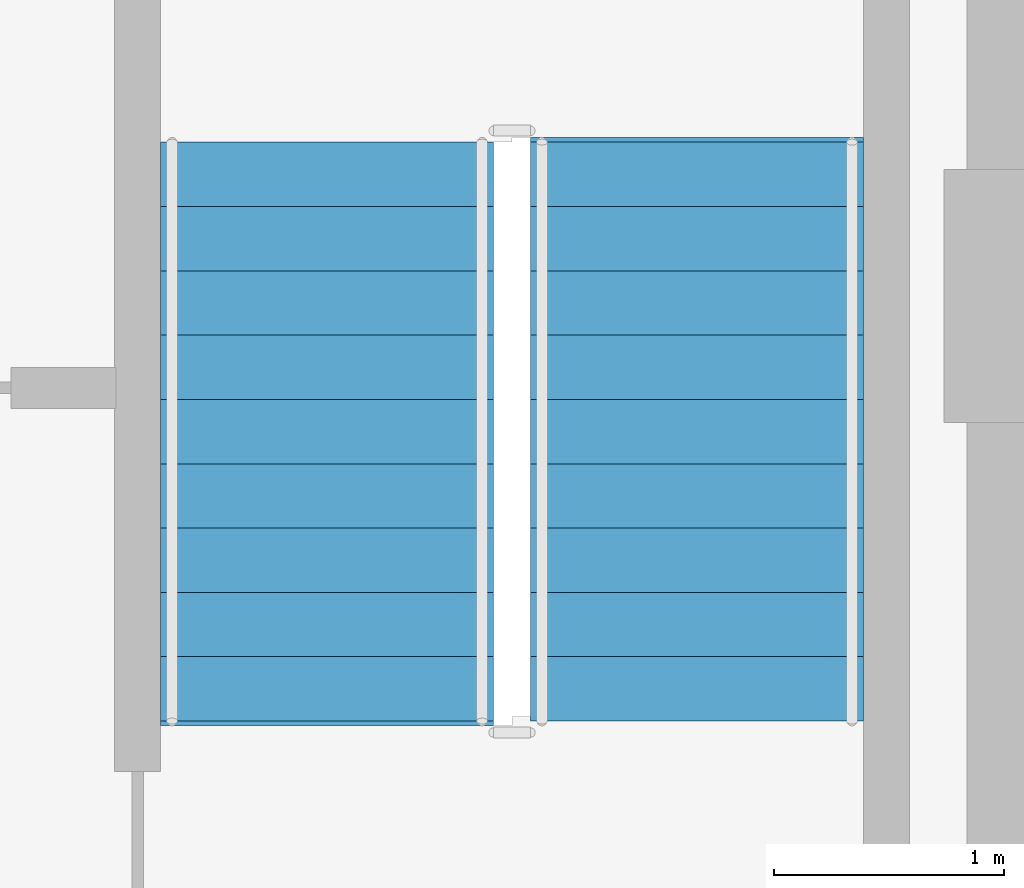
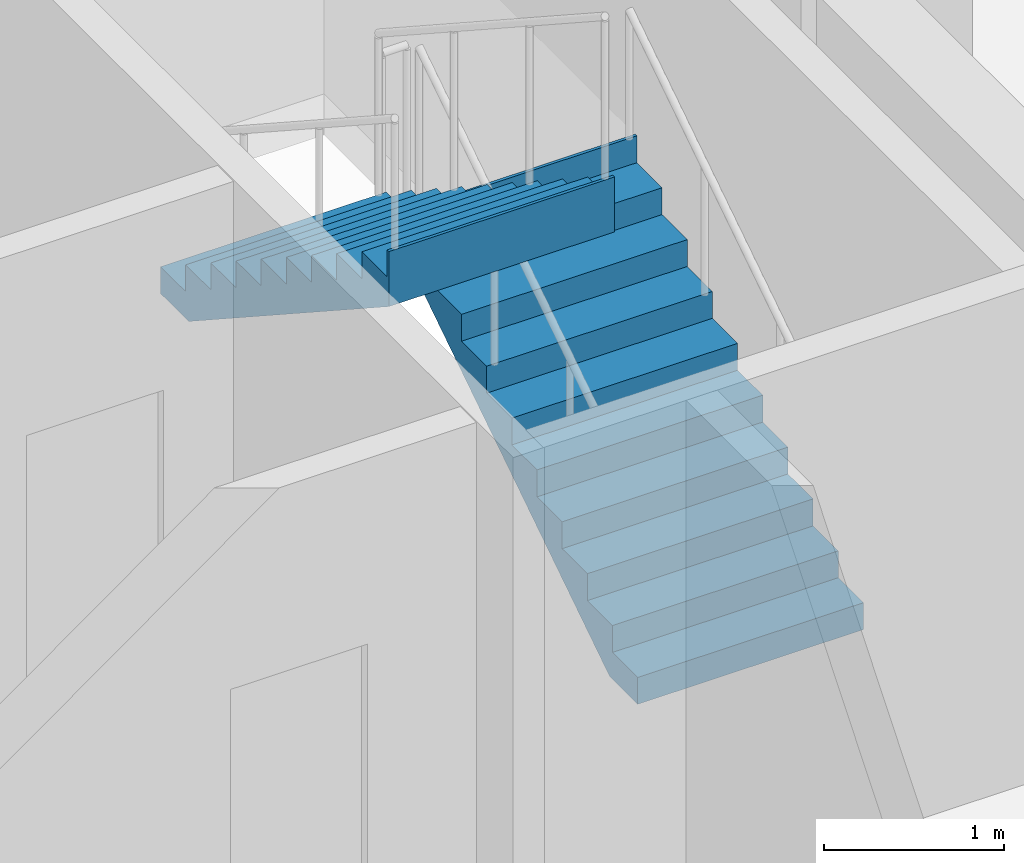
# One storey, part 10 of 14: 2 stair flights, 1 element without a shape of its own.
"""IFC4 building model written with IfcOpenShell, lengths in metres."""

from ifc_helpers import new_model, si_unit, direction, frame, origin, place, context, subcontext, project, spatial, polyline, outline, extrude, material, type_object, element, aggregate, save


model = new_model("IFC4")

# Units and contexts
model_context = context("Model", 3, precision=1e-05, world=origin(), true_north=direction((0.0, 1.0)))
body_context = subcontext(model_context, "Body", "Model", "MODEL_VIEW")
ifc_project = project(units=[si_unit("LENGTHUNIT", "METRE"), si_unit("AREAUNIT", "SQUARE_METRE"), si_unit("VOLUMEUNIT", "CUBIC_METRE"), si_unit("PLANEANGLEUNIT", "RADIAN"), si_unit("MASSUNIT", "GRAM", prefix="KILO")], contexts=[model_context])

# Site, building, storey
site_placement = place(None, origin())
site = spatial("IfcSite", under=ifc_project, at=site_placement, CompositionType="ELEMENT")
building_placement = place(site_placement, origin())
building = spatial("IfcBuilding", under=site, at=building_placement, Name="Nuvemarco Arch Tower", CompositionType="ELEMENT")
storey_placement = place(building_placement, frame((0.0, 0.0, 60.449951171875)))
storey = spatial("IfcBuildingStorey", under=building, at=storey_placement, Name="L15", CompositionType="ELEMENT", Elevation=60.449951171875)

# Stair, stair flights
ifc_material = material(Name="Precast concrete C45/55", Category="concrete")
stair_type = type_object("IfcStairType", Name="ST-CORE-20R", PredefinedType="HALF_TURN_STAIR", material=ifc_material)
stair_placement = place(storey_placement, origin())
stair = element("IfcStair", 1, at=stair_placement, inside=storey, type_object=stair_type, Name="L15 Protected Exit Stair ST-2", PredefinedType="HALF_TURN_STAIR")
stair_flight_type = type_object("IfcStairFlightType", Name="SF-CORE-20R", PredefinedType="STRAIGHT", material=ifc_material)
stair_flight_1_placement = place(storey_placement, frame((15.875, 2.64990234375, 0.0), z_axis=(0.0, 0.0, 1.0), x_axis=(0.0, 1.0, 0.0)))
stair_flight_1 = element("IfcStairFlight", 2, at=stair_flight_1_placement, type_object=stair_flight_type, Name="ST-20R flight 1", NumberOfRisers=10, NumberOfTreads=9, PredefinedType="STRAIGHT", RiserHeight=0.1825, TreadLength=0.28, context=body_context, shape_type="SweptSolid", body=[
    extrude(outline(polyline([(0.0, 0.0), (0.0, 0.1826171875), (0.280029296875, 0.1826171875), (0.280029296875, 0.364990234375), (0.56005859375, 0.364990234375), (0.56005859375, 0.547607421875), (0.840087890625, 0.547607421875), (0.840087890625, 0.72998046875), (1.1201171875, 0.72998046875), (1.1201171875, 0.91259765625), (1.39990234375, 0.91259765625), (1.39990234375, 1.094970703125), (1.679931640625, 1.094970703125), (1.679931640625, 1.277587890625), (1.9599609375, 1.277587890625), (1.9599609375, 1.4599609375), (2.239990234375, 1.4599609375), (2.239990234375, 1.642578125), (2.52001953125, 1.642578125), (2.52001953125, 1.824951171875), (2.5400390625, 1.824951171875), (2.5400390625, 1.45166015625), (0.312744140625, 0.0), (0.0, 0.0)])), frame((0.0, 0.72509765625, 0.0), z_axis=(0.0, -1.0, 0.0), x_axis=(1.0, 0.0, 0.0)), (0.0, 0.0, 1.0), 1.449951171875),
])
stair_flight_2_placement = place(storey_placement, frame((14.264892578125, 5.169921875, 1.824951171875), z_axis=(0.0, 0.0, 1.0), x_axis=(0.0, -1.0, 0.0)))
stair_flight_2 = element("IfcStairFlight", 3, at=stair_flight_2_placement, type_object=stair_flight_type, Name="ST-20R flight 2", NumberOfRisers=10, NumberOfTreads=9, PredefinedType="STRAIGHT", RiserHeight=0.1825, TreadLength=0.28, context=body_context, shape_type="SweptSolid", body=[
    extrude(outline(polyline([(0.0, 0.0), (0.0, 0.1826171875), (0.280029296875, 0.1826171875), (0.280029296875, 0.364990234375), (0.56005859375, 0.364990234375), (0.56005859375, 0.547607421875), (0.840087890625, 0.547607421875), (0.840087890625, 0.72998046875), (1.1201171875, 0.72998046875), (1.1201171875, 0.91259765625), (1.39990234375, 0.91259765625), (1.39990234375, 1.094970703125), (1.679931640625, 1.094970703125), (1.679931640625, 1.277587890625), (1.9599609375, 1.277587890625), (1.9599609375, 1.4599609375), (2.239990234375, 1.4599609375), (2.239990234375, 1.642578125), (2.52001953125, 1.642578125), (2.52001953125, 1.824951171875), (2.5400390625, 1.824951171875), (2.5400390625, 1.45166015625), (0.312744140625, 0.0), (0.0, 0.0)])), frame((0.0, 0.72509765625, 0.0), z_axis=(0.0, -1.0, 0.0), x_axis=(1.0, 0.0, 0.0)), (0.0, 0.0, 1.0), 1.449951171875),
])
aggregate(stair, [stair_flight_1, stair_flight_2])

save(model, "model.ifc")
